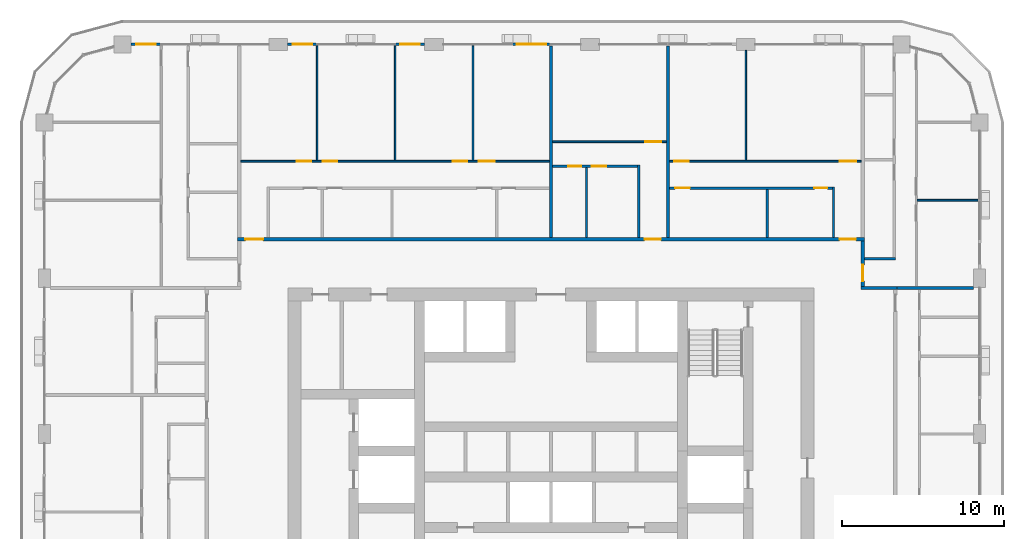
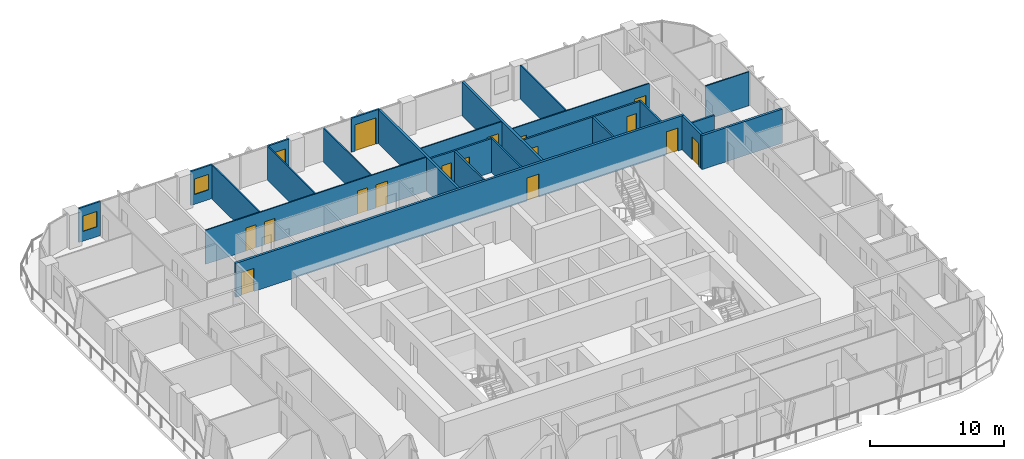
# One storey, part 14 of 22: 25 walls, 16 doors, 3 windows, 19 openings.
"""IFC4 building model written with IfcOpenShell, lengths in metres."""

from ifc_helpers import new_model, si_unit, direction, frame, frame_2d, origin, place, context, subcontext, project, spatial, rectangle, extrude, material, layer, layer_set, type_object, element, fill, save


model = new_model("IFC4")

# Units and contexts
model_context = context("Model", 3, precision=1e-05, world=origin(), true_north=direction((0.0, 1.0)))
body_context = subcontext(model_context, "Body", "Model", "MODEL_VIEW")
ifc_project = project(units=[si_unit("LENGTHUNIT", "METRE"), si_unit("AREAUNIT", "SQUARE_METRE"), si_unit("VOLUMEUNIT", "CUBIC_METRE"), si_unit("PLANEANGLEUNIT", "RADIAN"), si_unit("MASSUNIT", "GRAM", prefix="KILO")], contexts=[model_context])

# Site, building, storey
site_placement = place(None, origin())
site = spatial("IfcSite", under=ifc_project, at=site_placement, CompositionType="ELEMENT")
building_placement = place(site_placement, origin())
building = spatial("IfcBuilding", under=site, at=building_placement, Name="Madar Terraces", CompositionType="ELEMENT")
storey_placement = place(building_placement, frame((0.0, 0.0, 140.10009765625)))
storey = spatial("IfcBuildingStorey", under=building, at=storey_placement, Name="L36", CompositionType="ELEMENT", Elevation=140.10009765625)

# Wall, opening, door
ifc_material_1 = material(Name="Aluminium composite panel, black, over insulated backing", Category="aluminium")
ifc_layer_1 = layer(ifc_material_1, 0.14990234375)
ifc_layer_set_1 = layer_set([ifc_layer_1], Name="Facade bay panel 150")
wall_type_1 = type_object("IfcWallType", Name="Facade bay panel 150", PredefinedType="SOLIDWALL", material=ifc_layer_set_1)
wall_1_placement = place(storey_placement, frame((31.199951171875, 52.800048828125, 0.0), z_axis=(0.0, 0.0, 1.0), x_axis=(-1.0, 0.0, 0.0)))
wall_1 = element("IfcWall", 1, at=wall_1_placement, inside=storey, type_object=wall_type_1, Name="Facade bay panel", PredefinedType="SOLIDWALL", context=body_context, shape_type="SweptSolid", body=[
    extrude(rectangle(XDim=2.39990234375, YDim=0.14990234375, at=frame_2d((1.199951171875, 0.0))), origin(), (0.0, 0.0, 1.0), 3.099853515625),
])
opening_1_placement = place(wall_1_placement, frame((0.300048828125, 0.0, 0.0)))
opening_1 = element("IfcOpeningElement", 2, at=opening_1_placement, cuts=wall_1, Name="Opening ED1", PredefinedType="OPENING", context=body_context, shape_type="SweptSolid", body=[
    extrude(rectangle(XDim=1.800048828125, YDim=2.39990234375, at=frame_2d((0.89990234375, 1.199951171875))), frame((0.0, 0.0849609375, 0.0), z_axis=(0.0, -1.0, 0.0), x_axis=(1.0, 0.0, 0.0)), (0.0, 0.0, 1.0), 0.169921875),
])
ifc_material_2 = material(Name="Glass, clear, with black aluminium frame", Category="aluminium")
door_type_1 = type_object("IfcDoorType", Name="Balcony and terrace sliding door 1800 x 2400", OperationType="SLIDING_TO_LEFT", PredefinedType="DOOR", material=ifc_material_2)
door_1_placement = place(opening_1_placement, origin())
door_1 = element("IfcDoor", 3, at=door_1_placement, inside=storey, type_object=door_type_1, Name="Balcony door", OperationType="SLIDING_TO_LEFT", OverallHeight=2.39990234375, OverallWidth=1.800048828125, PredefinedType="DOOR", context=body_context, shape_type="SweptSolid", body=[
    extrude(rectangle(XDim=1.800048828125, YDim=2.39990234375, at=frame_2d((0.89990234375, 1.199951171875))), frame((0.0, 0.02490234375, 0.0), z_axis=(0.0, -1.0, 0.0), x_axis=(1.0, 0.0, 0.0)), (0.0, 0.0, 1.0), 0.050048828125),
])
fill(opening_1, door_1)

# Wall, opening, window
wall_2_placement = place(storey_placement, frame((23.425048828125, 52.800048828125, 0.0), z_axis=(0.0, 0.0, 1.0), x_axis=(-1.0, 0.0, 0.0)))
wall_2 = element("IfcWall", 4, at=wall_2_placement, inside=storey, type_object=wall_type_1, Name="Facade bay panel", PredefinedType="SOLIDWALL", context=body_context, shape_type="SweptSolid", body=[
    extrude(rectangle(XDim=1.824951171875, YDim=0.14990234375, at=frame_2d((0.91259765625, 0.0))), origin(), (0.0, 0.0, 1.0), 3.099853515625),
])
opening_2_placement = place(wall_2_placement, frame((0.3125, 0.0, 0.89990234375)))
opening_2 = element("IfcOpeningElement", 5, at=opening_2_placement, cuts=wall_2, Name="Opening W1", PredefinedType="OPENING", context=body_context, shape_type="SweptSolid", body=[
    extrude(rectangle(XDim=1.199951171875, YDim=1.39990234375, at=frame_2d((0.60009765625, 0.699951171875))), frame((0.0, 0.0849609375, 0.0), z_axis=(0.0, -1.0, 0.0), x_axis=(1.0, 0.0, 0.0)), (0.0, 0.0, 1.0), 0.169921875),
])
ifc_material_3 = material(Name="Glass, clear, with black aluminium frame", Category="aluminium")
window_type = type_object("IfcWindowType", Name="Vent window 1200 x 1400", PartitioningType="SINGLE_PANEL", PredefinedType="WINDOW", material=ifc_material_3)
window_1_placement = place(opening_2_placement, origin())
window_1 = element("IfcWindow", 6, at=window_1_placement, inside=storey, type_object=window_type, Name="Operable vent window", OverallHeight=1.39990234375, OverallWidth=1.199951171875, PartitioningType="SINGLE_PANEL", PredefinedType="WINDOW", context=body_context, shape_type="SweptSolid", body=[
    extrude(rectangle(XDim=1.199951171875, YDim=1.39990234375, at=frame_2d((0.60009765625, 0.699951171875))), frame((0.0, 0.030029296875, 0.0), z_axis=(0.0, -1.0, 0.0), x_axis=(1.0, 0.0, 0.0)), (0.0, 0.0, 1.0), 0.06005859375),
])
fill(opening_2, window_1)

wall_3_placement = place(storey_placement, frame((16.800048828125, 52.800048828125, 0.0), z_axis=(0.0, 0.0, 1.0), x_axis=(-1.0, 0.0, 0.0)))
wall_3 = element("IfcWall", 7, at=wall_3_placement, inside=storey, type_object=wall_type_1, Name="Facade bay panel", PredefinedType="SOLIDWALL", context=body_context, shape_type="SweptSolid", body=[
    extrude(rectangle(XDim=1.824951171875, YDim=0.14990234375, at=frame_2d((0.91259765625, 0.0))), origin(), (0.0, 0.0, 1.0), 3.099853515625),
])
opening_3_placement = place(wall_3_placement, frame((0.3125, 0.0, 0.89990234375)))
opening_3 = element("IfcOpeningElement", 8, at=opening_3_placement, cuts=wall_3, Name="Opening W1", PredefinedType="OPENING", context=body_context, shape_type="SweptSolid", body=[
    extrude(rectangle(XDim=1.199951171875, YDim=1.39990234375, at=frame_2d((0.60009765625, 0.699951171875))), frame((0.0, 0.0849609375, 0.0), z_axis=(0.0, -1.0, 0.0), x_axis=(1.0, 0.0, 0.0)), (0.0, 0.0, 1.0), 0.169921875),
])
window_2_placement = place(opening_3_placement, origin())
window_2 = element("IfcWindow", 9, at=window_2_placement, inside=storey, type_object=window_type, Name="Operable vent window", OverallHeight=1.39990234375, OverallWidth=1.199951171875, PartitioningType="SINGLE_PANEL", PredefinedType="WINDOW", context=body_context, shape_type="SweptSolid", body=[
    extrude(rectangle(XDim=1.199951171875, YDim=1.39990234375, at=frame_2d((0.60009765625, 0.699951171875))), frame((0.0, 0.030029296875, 0.0), z_axis=(0.0, -1.0, 0.0), x_axis=(1.0, 0.0, 0.0)), (0.0, 0.0, 1.0), 0.06005859375),
])
fill(opening_3, window_2)

wall_4_placement = place(storey_placement, frame((7.199951171875, 52.800048828125, 0.0), z_axis=(0.0, 0.0, 1.0), x_axis=(-1.0, 0.0, 0.0)))
wall_4 = element("IfcWall", 10, at=wall_4_placement, inside=storey, type_object=wall_type_1, Name="Facade bay panel", PredefinedType="SOLIDWALL", context=body_context, shape_type="SweptSolid", body=[
    extrude(rectangle(XDim=1.875, YDim=0.14990234375, at=frame_2d((0.9375, 0.0))), origin(), (0.0, 0.0, 1.0), 3.099853515625),
])
opening_4_placement = place(wall_4_placement, frame((0.33740234375, 0.0, 0.89990234375)))
opening_4 = element("IfcOpeningElement", 11, at=opening_4_placement, cuts=wall_4, Name="Opening W1", PredefinedType="OPENING", context=body_context, shape_type="SweptSolid", body=[
    extrude(rectangle(XDim=1.199951171875, YDim=1.39990234375, at=frame_2d((0.60009765625, 0.699951171875))), frame((0.0, 0.0849609375, 0.0), z_axis=(0.0, -1.0, 0.0), x_axis=(1.0, 0.0, 0.0)), (0.0, 0.0, 1.0), 0.169921875),
])
window_3_placement = place(opening_4_placement, origin())
window_3 = element("IfcWindow", 12, at=window_3_placement, inside=storey, type_object=window_type, Name="Operable vent window", OverallHeight=1.39990234375, OverallWidth=1.199951171875, PartitioningType="SINGLE_PANEL", PredefinedType="WINDOW", context=body_context, shape_type="SweptSolid", body=[
    extrude(rectangle(XDim=1.199951171875, YDim=1.39990234375, at=frame_2d((0.60009765625, 0.699951171875))), frame((0.0, 0.030029296875, 0.0), z_axis=(0.0, -1.0, 0.0), x_axis=(1.0, 0.0, 0.0)), (0.0, 0.0, 1.0), 0.06005859375),
])
fill(opening_4, window_3)

# Walls
ifc_material_4 = material(Name="Gypsum board on steel studs", Category="steel")
ifc_layer_2 = layer(ifc_material_4, 0.10009765625)
ifc_layer_set_2 = layer_set([ifc_layer_2], Name="Flat partition 100")
wall_type_2 = type_object("IfcWallType", Name="Flat partition 100", PredefinedType="PARTITIONING", material=ifc_layer_set_2)
wall_5_placement = place(storey_placement, frame((53.75, 43.199951171875, 0.0), z_axis=(0.0, 0.0, 1.0), x_axis=(1.0, 0.0, 0.0)))
element("IfcWall", 13, at=wall_5_placement, inside=storey, type_object=wall_type_2, Name="Flat partition 100", PredefinedType="PARTITIONING", context=body_context, shape_type="SweptSolid", body=[
    extrude(rectangle(XDim=3.75, YDim=0.10009765625, at=frame_2d((1.875, 0.0))), origin(), (0.0, 0.0, 1.0), 3.099853515625),
])
wall_6_placement = place(storey_placement, frame((43.199951171875, 45.64990234375, 0.0), z_axis=(0.0, 0.0, 1.0), x_axis=(0.0, 1.0, 0.0)))
element("IfcWall", 14, at=wall_6_placement, inside=storey, type_object=wall_type_2, Name="Flat partition 100", PredefinedType="PARTITIONING", context=body_context, shape_type="SweptSolid", body=[
    extrude(rectangle(XDim=6.775146484375, YDim=0.10009765625, at=frame_2d((3.3876953125, 0.0))), origin(), (0.0, 0.0, 1.0), 3.099853515625),
])

# Wall, openings, doors
wall_7_placement = place(storey_placement, frame((38.5, 45.60009765625, 0.0), z_axis=(0.0, 0.0, 1.0), x_axis=(1.0, 0.0, 0.0)))
wall_7 = element("IfcWall", 15, at=wall_7_placement, inside=storey, type_object=wall_type_2, Name="Flat partition 100", PredefinedType="PARTITIONING", context=body_context, shape_type="SweptSolid", body=[
    extrude(rectangle(XDim=11.800048828125, YDim=0.10009765625, at=frame_2d((5.89990234375, 0.0))), origin(), (0.0, 0.0, 1.0), 3.099853515625),
])
opening_5_placement = place(wall_7_placement, frame((10.5, 0.0, 0.0)))
opening_5 = element("IfcOpeningElement", 16, at=opening_5_placement, cuts=wall_7, Name="Opening D3", PredefinedType="OPENING", context=body_context, shape_type="SweptSolid", body=[
    extrude(rectangle(XDim=1.0, YDim=2.10009765625, at=frame_2d((0.5, 1.050048828125))), frame((0.0, 0.06005859375, 0.0), z_axis=(0.0, -1.0, 0.0), x_axis=(1.0, 0.0, 0.0)), (0.0, 0.0, 1.0), 0.1201171875),
])
opening_6_placement = place(wall_7_placement, frame((0.300048828125, 0.0, 0.0)))
opening_6 = element("IfcOpeningElement", 17, at=opening_6_placement, cuts=wall_7, Name="Opening D2", PredefinedType="OPENING", context=body_context, shape_type="SweptSolid", body=[
    extrude(rectangle(XDim=0.89990234375, YDim=2.10009765625, at=frame_2d((0.449951171875, 1.050048828125))), frame((0.0, 0.06005859375, 0.0), z_axis=(0.0, -1.0, 0.0), x_axis=(1.0, 0.0, 0.0)), (0.0, 0.0, 1.0), 0.1201171875),
])
ifc_material_5 = material(Name="Timber door leaf", Category="wood")
door_type_2 = type_object("IfcDoorType", Name="Flat living room door 1000", OperationType="NOTDEFINED", PredefinedType="DOOR", material=ifc_material_5)
door_2_placement = place(opening_5_placement, origin())
door_2 = element("IfcDoor", 18, at=door_2_placement, inside=storey, type_object=door_type_2, Name="Flat living room door 1000", OperationType="SINGLE_SWING_RIGHT", OverallHeight=2.10009765625, OverallWidth=1.0, PredefinedType="DOOR", context=body_context, shape_type="SweptSolid", body=[
    extrude(rectangle(XDim=1.0, YDim=2.10009765625, at=frame_2d((0.5, 1.050048828125))), frame((0.0, 0.02490234375, 0.0), z_axis=(0.0, -1.0, 0.0), x_axis=(1.0, 0.0, 0.0)), (0.0, 0.0, 1.0), 0.050048828125),
])
fill(opening_5, door_2)
ifc_material_6 = material(Name="Timber door leaf", Category="wood")
door_type_3 = type_object("IfcDoorType", Name="Flat room door 900", OperationType="NOTDEFINED", PredefinedType="DOOR", material=ifc_material_6)
door_3_placement = place(opening_6_placement, origin())
door_3 = element("IfcDoor", 19, at=door_3_placement, inside=storey, type_object=door_type_3, Name="Flat room door 900", OperationType="SINGLE_SWING_LEFT", OverallHeight=2.10009765625, OverallWidth=0.89990234375, PredefinedType="DOOR", context=body_context, shape_type="SweptSolid", body=[
    extrude(rectangle(XDim=0.89990234375, YDim=2.10009765625, at=frame_2d((0.449951171875, 1.050048828125))), frame((0.0, 0.02490234375, 0.0), z_axis=(0.0, -1.0, 0.0), x_axis=(1.0, 0.0, 0.0)), (0.0, 0.0, 1.0), 0.050048828125),
])
fill(opening_6, door_3)

# Wall, opening, door
wall_8_placement = place(storey_placement, frame((31.300048828125, 46.800048828125, 0.0), z_axis=(0.0, 0.0, 1.0), x_axis=(1.0, 0.0, 0.0)))
wall_8 = element("IfcWall", 20, at=wall_8_placement, inside=storey, type_object=wall_type_2, Name="Flat partition 100", PredefinedType="PARTITIONING", context=body_context, shape_type="SweptSolid", body=[
    extrude(rectangle(XDim=7.0, YDim=0.10009765625, at=frame_2d((3.5, 0.0))), origin(), (0.0, 0.0, 1.0), 3.099853515625),
])
opening_7_placement = place(wall_8_placement, frame((5.699951171875, 0.0, 0.0)))
opening_7 = element("IfcOpeningElement", 21, at=opening_7_placement, cuts=wall_8, Name="Opening D3", PredefinedType="OPENING", context=body_context, shape_type="SweptSolid", body=[
    extrude(rectangle(XDim=1.0, YDim=2.10009765625, at=frame_2d((0.5, 1.050048828125))), frame((0.0, 0.06005859375, 0.0), z_axis=(0.0, -1.0, 0.0), x_axis=(1.0, 0.0, 0.0)), (0.0, 0.0, 1.0), 0.1201171875),
])
door_4_placement = place(opening_7_placement, origin())
door_4 = element("IfcDoor", 22, at=door_4_placement, inside=storey, type_object=door_type_2, Name="Flat living room door 1000", OperationType="SINGLE_SWING_RIGHT", OverallHeight=2.10009765625, OverallWidth=1.0, PredefinedType="DOOR", context=body_context, shape_type="SweptSolid", body=[
    extrude(rectangle(XDim=1.0, YDim=2.10009765625, at=frame_2d((0.5, 1.050048828125))), frame((0.0, 0.02490234375, 0.0), z_axis=(0.0, -1.0, 0.0), x_axis=(1.0, 0.0, 0.0)), (0.0, 0.0, 1.0), 0.050048828125),
])
fill(opening_7, door_4)

# Walls
for number, where, z_axis, x_axis, name in (
    (23, (16.800048828125, 45.64990234375, 0.0), (0.0, 0.0, 1.0), (0.0, 1.0, 0.0), "Flat partition 100"),
    (24, (21.60009765625, 45.64990234375, 0.0), (0.0, 0.0, 1.0), (0.0, 1.0, 0.0), "Flat partition 100"),
    (25, (26.39990234375, 45.64990234375, 0.0), (0.0, 0.0, 1.0), (0.0, 1.0, 0.0), "Flat partition 100"),
):
    element("IfcWall", number, at=place(storey_placement, frame(where, z_axis=z_axis, x_axis=x_axis)), inside=storey, type_object=wall_type_2, Name=name, PredefinedType="PARTITIONING", context=body_context, shape_type="SweptSolid", body=[
        extrude(rectangle(XDim=7.050048828125, YDim=0.10009765625, at=frame_2d((3.52490234375, 0.0))), origin(), (0.0, 0.0, 1.0), 3.099853515625),
    ])

# Wall, openings, doors
wall_9_placement = place(storey_placement, frame((12.10009765625, 45.60009765625, 0.0), z_axis=(0.0, 0.0, 1.0), x_axis=(1.0, 0.0, 0.0)))
wall_9 = element("IfcWall", 26, at=wall_9_placement, inside=storey, type_object=wall_type_2, Name="Flat partition 100", PredefinedType="PARTITIONING", context=body_context, shape_type="SweptSolid", body=[
    extrude(rectangle(XDim=19.0, YDim=0.10009765625, at=frame_2d((9.5, 0.0))), origin(), (0.0, 0.0, 1.0), 3.099853515625),
])
opening_8_placement = place(wall_9_placement, frame((3.449951171875, 0.0, 0.0)))
opening_8 = element("IfcOpeningElement", 27, at=opening_8_placement, cuts=wall_9, Name="Opening D2", PredefinedType="OPENING", context=body_context, shape_type="SweptSolid", body=[
    extrude(rectangle(XDim=0.89990234375, YDim=2.10009765625, at=frame_2d((0.449951171875, 1.050048828125))), frame((0.0, 0.06005859375, 0.0), z_axis=(0.0, -1.0, 0.0), x_axis=(1.0, 0.0, 0.0)), (0.0, 0.0, 1.0), 0.1201171875),
])
opening_9_placement = place(wall_9_placement, frame((5.050048828125, 0.0, 0.0)))
opening_9 = element("IfcOpeningElement", 28, at=opening_9_placement, cuts=wall_9, Name="Opening D2", PredefinedType="OPENING", context=body_context, shape_type="SweptSolid", body=[
    extrude(rectangle(XDim=0.89990234375, YDim=2.10009765625, at=frame_2d((0.449951171875, 1.050048828125))), frame((0.0, 0.06005859375, 0.0), z_axis=(0.0, -1.0, 0.0), x_axis=(1.0, 0.0, 0.0)), (0.0, 0.0, 1.0), 0.1201171875),
])
opening_10_placement = place(wall_9_placement, frame((13.050048828125, 0.0, 0.0)))
opening_10 = element("IfcOpeningElement", 29, at=opening_10_placement, cuts=wall_9, Name="Opening D2", PredefinedType="OPENING", context=body_context, shape_type="SweptSolid", body=[
    extrude(rectangle(XDim=0.89990234375, YDim=2.10009765625, at=frame_2d((0.449951171875, 1.050048828125))), frame((0.0, 0.06005859375, 0.0), z_axis=(0.0, -1.0, 0.0), x_axis=(1.0, 0.0, 0.0)), (0.0, 0.0, 1.0), 0.1201171875),
])
opening_11_placement = place(wall_9_placement, frame((14.64990234375, 0.0, 0.0)))
opening_11 = element("IfcOpeningElement", 30, at=opening_11_placement, cuts=wall_9, Name="Opening D3", PredefinedType="OPENING", context=body_context, shape_type="SweptSolid", body=[
    extrude(rectangle(XDim=1.0, YDim=2.10009765625, at=frame_2d((0.5, 1.050048828125))), frame((0.0, 0.06005859375, 0.0), z_axis=(0.0, -1.0, 0.0), x_axis=(1.0, 0.0, 0.0)), (0.0, 0.0, 1.0), 0.1201171875),
])
door_5_placement = place(opening_11_placement, origin())
door_5 = element("IfcDoor", 31, at=door_5_placement, inside=storey, type_object=door_type_2, Name="Flat living room door 1000", OperationType="SINGLE_SWING_LEFT", OverallHeight=2.10009765625, OverallWidth=1.0, PredefinedType="DOOR", context=body_context, shape_type="SweptSolid", body=[
    extrude(rectangle(XDim=1.0, YDim=2.10009765625, at=frame_2d((0.5, 1.050048828125))), frame((0.0, 0.02490234375, 0.0), z_axis=(0.0, -1.0, 0.0), x_axis=(1.0, 0.0, 0.0)), (0.0, 0.0, 1.0), 0.050048828125),
])
fill(opening_11, door_5)
door_6_placement = place(opening_8_placement, origin())
door_6 = element("IfcDoor", 32, at=door_6_placement, inside=storey, type_object=door_type_3, Name="Flat room door 900", OperationType="SINGLE_SWING_RIGHT", OverallHeight=2.10009765625, OverallWidth=0.89990234375, PredefinedType="DOOR", context=body_context, shape_type="SweptSolid", body=[
    extrude(rectangle(XDim=0.89990234375, YDim=2.10009765625, at=frame_2d((0.449951171875, 1.050048828125))), frame((0.0, 0.02490234375, 0.0), z_axis=(0.0, -1.0, 0.0), x_axis=(1.0, 0.0, 0.0)), (0.0, 0.0, 1.0), 0.050048828125),
])
fill(opening_8, door_6)
door_7_placement = place(opening_9_placement, origin())
door_7 = element("IfcDoor", 33, at=door_7_placement, inside=storey, type_object=door_type_3, Name="Flat room door 900", OperationType="SINGLE_SWING_LEFT", OverallHeight=2.10009765625, OverallWidth=0.89990234375, PredefinedType="DOOR", context=body_context, shape_type="SweptSolid", body=[
    extrude(rectangle(XDim=0.89990234375, YDim=2.10009765625, at=frame_2d((0.449951171875, 1.050048828125))), frame((0.0, 0.02490234375, 0.0), z_axis=(0.0, -1.0, 0.0), x_axis=(1.0, 0.0, 0.0)), (0.0, 0.0, 1.0), 0.050048828125),
])
fill(opening_9, door_7)
door_8_placement = place(opening_10_placement, origin())
door_8 = element("IfcDoor", 34, at=door_8_placement, inside=storey, type_object=door_type_3, Name="Flat room door 900", OperationType="SINGLE_SWING_RIGHT", OverallHeight=2.10009765625, OverallWidth=0.89990234375, PredefinedType="DOOR", context=body_context, shape_type="SweptSolid", body=[
    extrude(rectangle(XDim=0.89990234375, YDim=2.10009765625, at=frame_2d((0.449951171875, 1.050048828125))), frame((0.0, 0.02490234375, 0.0), z_axis=(0.0, -1.0, 0.0), x_axis=(1.0, 0.0, 0.0)), (0.0, 0.0, 1.0), 0.050048828125),
])
fill(opening_10, door_8)

# Wall
ifc_material_7 = material(Name="Lightweight blockwork", Category="masonry")
ifc_layer_3 = layer(ifc_material_7, 0.199951171875)
ifc_layer_set_3 = layer_set([ifc_layer_3], Name="Flat party and entrance wall 200")
wall_type_3 = type_object("IfcWallType", Name="Flat party and entrance wall 200", PredefinedType="PARTITIONING", material=ifc_layer_set_3)
wall_10_placement = place(storey_placement, frame((52.5, 37.800048828125, 0.0), z_axis=(0.0, 0.0, 1.0), x_axis=(-1.0, 0.0, 0.0)))
element("IfcWall", 35, at=wall_10_placement, inside=storey, type_object=wall_type_3, Name="Flat party and entrance wall 200", PredefinedType="PARTITIONING", context=body_context, shape_type="SweptSolid", body=[
    extrude(rectangle(XDim=2.199951171875, YDim=0.199951171875, at=frame_2d((1.10009765625, 0.0))), origin(), (0.0, 0.0, 1.0), 3.099853515625),
])

# Wall, opening, door
wall_11_placement = place(storey_placement, frame((50.39990234375, 40.699951171875, 0.0), z_axis=(0.0, 0.0, 1.0), x_axis=(0.0, -1.0, 0.0)))
wall_11 = element("IfcWall", 36, at=wall_11_placement, inside=storey, type_object=wall_type_3, Name="Flat party and entrance wall 200", PredefinedType="PARTITIONING", context=body_context, shape_type="SweptSolid", body=[
    extrude(rectangle(XDim=2.800048828125, YDim=0.199951171875, at=frame_2d((1.39990234375, 0.0))), origin(), (0.0, 0.0, 1.0), 3.099853515625),
])
opening_12_placement = place(wall_11_placement, frame((1.47509765625, 0.0, 0.0)))
opening_12 = element("IfcOpeningElement", 37, at=opening_12_placement, cuts=wall_11, Name="Opening D1", PredefinedType="OPENING", context=body_context, shape_type="SweptSolid", body=[
    extrude(rectangle(XDim=1.0, YDim=2.10009765625, at=frame_2d((0.5, 1.050048828125))), frame((0.0, 0.10986328125, 0.0), z_axis=(0.0, -1.0, 0.0), x_axis=(1.0, 0.0, 0.0)), (0.0, 0.0, 1.0), 0.219970703125),
])
ifc_material_8 = material(Name="Timber fire door leaf", Category="wood")
door_type_4 = type_object("IfcDoorType", Name="Flat entrance door 1000 FD30S", OperationType="NOTDEFINED", PredefinedType="DOOR", material=ifc_material_8)
door_9_placement = place(opening_12_placement, origin())
door_9 = element("IfcDoor", 38, at=door_9_placement, inside=storey, type_object=door_type_4, Name="Flat entrance door 1000 FD30S", OperationType="SINGLE_SWING_RIGHT", OverallHeight=2.10009765625, OverallWidth=1.0, PredefinedType="DOOR", context=body_context, shape_type="SweptSolid", body=[
    extrude(rectangle(XDim=1.0, YDim=2.10009765625, at=frame_2d((0.5, 1.050048828125))), frame((0.0, 0.02490234375, 0.0), z_axis=(0.0, -1.0, 0.0), x_axis=(1.0, 0.0, 0.0)), (0.0, 0.0, 1.0), 0.050048828125),
])
fill(opening_12, door_9)

# Wall, openings, doors
wall_12_placement = place(storey_placement, frame((11.89990234375, 40.800048828125, 0.0), z_axis=(0.0, 0.0, 1.0), x_axis=(1.0, 0.0, 0.0)))
wall_12 = element("IfcWall", 39, at=wall_12_placement, inside=storey, type_object=wall_type_3, Name="Flat party and entrance wall 200", PredefinedType="PARTITIONING", context=body_context, shape_type="SweptSolid", body=[
    extrude(rectangle(XDim=38.60009765625, YDim=0.199951171875, at=frame_2d((19.300048828125, 0.0))), origin(), (0.0, 0.0, 1.0), 3.099853515625),
])
opening_13_placement = place(wall_12_placement, frame((37.074951171875, 0.0, 0.0)))
opening_13 = element("IfcOpeningElement", 40, at=opening_13_placement, cuts=wall_12, Name="Opening D1", PredefinedType="OPENING", context=body_context, shape_type="SweptSolid", body=[
    extrude(rectangle(XDim=1.0, YDim=2.10009765625, at=frame_2d((0.5, 1.050048828125))), frame((0.0, 0.10986328125, 0.0), z_axis=(0.0, -1.0, 0.0), x_axis=(1.0, 0.0, 0.0)), (0.0, 0.0, 1.0), 0.219970703125),
])
opening_14_placement = place(wall_12_placement, frame((25.074951171875, 0.0, 0.0)))
opening_14 = element("IfcOpeningElement", 41, at=opening_14_placement, cuts=wall_12, Name="Opening D1", PredefinedType="OPENING", context=body_context, shape_type="SweptSolid", body=[
    extrude(rectangle(XDim=1.0, YDim=2.10009765625, at=frame_2d((0.5, 1.050048828125))), frame((0.0, 0.10986328125, 0.0), z_axis=(0.0, -1.0, 0.0), x_axis=(1.0, 0.0, 0.0)), (0.0, 0.0, 1.0), 0.219970703125),
])
opening_15_placement = place(wall_12_placement, frame((0.47509765625, 0.0, 0.0)))
opening_15 = element("IfcOpeningElement", 42, at=opening_15_placement, cuts=wall_12, Name="Opening D6", PredefinedType="OPENING", context=body_context, shape_type="SweptSolid", body=[
    extrude(rectangle(XDim=1.10009765625, YDim=2.10009765625, at=frame_2d((0.550048828125, 1.050048828125))), frame((0.0, 0.10986328125, 0.0), z_axis=(0.0, -1.0, 0.0), x_axis=(1.0, 0.0, 0.0)), (0.0, 0.0, 1.0), 0.219970703125),
])
door_10_placement = place(opening_13_placement, origin())
door_10 = element("IfcDoor", 43, at=door_10_placement, inside=storey, type_object=door_type_4, Name="Flat entrance door 1000 FD30S", OperationType="SINGLE_SWING_RIGHT", OverallHeight=2.10009765625, OverallWidth=1.0, PredefinedType="DOOR", context=body_context, shape_type="SweptSolid", body=[
    extrude(rectangle(XDim=1.0, YDim=2.10009765625, at=frame_2d((0.5, 1.050048828125))), frame((0.0, 0.02490234375, 0.0), z_axis=(0.0, -1.0, 0.0), x_axis=(1.0, 0.0, 0.0)), (0.0, 0.0, 1.0), 0.050048828125),
])
fill(opening_13, door_10)
door_11_placement = place(opening_14_placement, origin())
door_11 = element("IfcDoor", 44, at=door_11_placement, inside=storey, type_object=door_type_4, Name="Flat entrance door 1000 FD30S", OperationType="SINGLE_SWING_RIGHT", OverallHeight=2.10009765625, OverallWidth=1.0, PredefinedType="DOOR", context=body_context, shape_type="SweptSolid", body=[
    extrude(rectangle(XDim=1.0, YDim=2.10009765625, at=frame_2d((0.5, 1.050048828125))), frame((0.0, 0.02490234375, 0.0), z_axis=(0.0, -1.0, 0.0), x_axis=(1.0, 0.0, 0.0)), (0.0, 0.0, 1.0), 0.050048828125),
])
fill(opening_14, door_11)
ifc_material_9 = material(Name="Timber fire door leaf", Category="wood")
door_type_5 = type_object("IfcDoorType", Name="Flat entrance door 1100 FD30S", OperationType="NOTDEFINED", PredefinedType="DOOR", material=ifc_material_9)
door_12_placement = place(opening_15_placement, origin())
door_12 = element("IfcDoor", 45, at=door_12_placement, inside=storey, type_object=door_type_5, Name="Flat entrance door 1100 FD30S", OperationType="SINGLE_SWING_LEFT", OverallHeight=2.10009765625, OverallWidth=1.10009765625, PredefinedType="DOOR", context=body_context, shape_type="SweptSolid", body=[
    extrude(rectangle(XDim=1.10009765625, YDim=2.10009765625, at=frame_2d((0.550048828125, 1.050048828125))), frame((0.0, 0.02490234375, 0.0), z_axis=(0.0, -1.0, 0.0), x_axis=(1.0, 0.0, 0.0)), (0.0, 0.0, 1.0), 0.050048828125),
])
fill(opening_15, door_12)

# Walls
wall_13_placement = place(storey_placement, frame((52.5, 37.800048828125, 0.0), z_axis=(0.0, 0.0, 1.0), x_axis=(1.0, 0.0, 0.0)))
element("IfcWall", 46, at=wall_13_placement, inside=storey, type_object=wall_type_3, Name="Flat party and entrance wall 200", PredefinedType="PARTITIONING", context=body_context, shape_type="SweptSolid", body=[
    extrude(rectangle(XDim=4.72509765625, YDim=0.199951171875, at=frame_2d((2.362548828125, 0.0))), origin(), (0.0, 0.0, 1.0), 3.099853515625),
])
for number, where, z_axis, x_axis, name in (
    (47, (38.39990234375, 52.699951171875, 0.0), (0.0, 0.0, 1.0), (0.0, -1.0, 0.0), "Flat party and entrance wall 200"),
    (48, (31.199951171875, 52.699951171875, 0.0), (0.0, 0.0, 1.0), (0.0, -1.0, 0.0), "Flat party and entrance wall 200"),
):
    element("IfcWall", number, at=place(storey_placement, frame(where, z_axis=z_axis, x_axis=x_axis)), inside=storey, type_object=wall_type_3, Name=name, PredefinedType="PARTITIONING", context=body_context, shape_type="SweptSolid", body=[
        extrude(rectangle(XDim=11.800048828125, YDim=0.199951171875, at=frame_2d((5.89990234375, 0.0))), origin(), (0.0, 0.0, 1.0), 3.099853515625),
    ])
ifc_material_10 = material(Name="Lightweight blockwork", Category="masonry")
ifc_layer_4 = layer(ifc_material_10, 0.14990234375)
ifc_layer_set_4 = layer_set([ifc_layer_4], Name="Flat wet-room partition 150")
wall_type_4 = type_object("IfcWallType", Name="Flat wet-room partition 150", PredefinedType="PARTITIONING", material=ifc_layer_set_4)
wall_14_placement = place(storey_placement, frame((50.5, 39.60009765625, 0.0), z_axis=(0.0, 0.0, 1.0), x_axis=(1.0, 0.0, 0.0)))
element("IfcWall", 49, at=wall_14_placement, inside=storey, type_object=wall_type_4, Name="Flat wet-room partition 150", PredefinedType="PARTITIONING", context=body_context, shape_type="SweptSolid", body=[
    extrude(rectangle(XDim=1.925048828125, YDim=0.14990234375, at=frame_2d((0.96240234375, 0.0))), origin(), (0.0, 0.0, 1.0), 3.099853515625),
])
wall_15_placement = place(storey_placement, frame((44.514892578125, 40.89990234375, 0.0), z_axis=(0.0, 0.0, 1.0), x_axis=(0.0, 1.0, 0.0)))
element("IfcWall", 50, at=wall_15_placement, inside=storey, type_object=wall_type_4, Name="Flat wet-room partition 150", PredefinedType="PARTITIONING", context=body_context, shape_type="SweptSolid", body=[
    extrude(rectangle(XDim=2.97509765625, YDim=0.14990234375, at=frame_2d((1.487548828125, 0.0))), origin(), (0.0, 0.0, 1.0), 3.099853515625),
])
wall_16_placement = place(storey_placement, frame((48.60009765625, 40.89990234375, 0.0), z_axis=(0.0, 0.0, 1.0), x_axis=(0.0, 1.0, 0.0)))
element("IfcWall", 51, at=wall_16_placement, inside=storey, type_object=wall_type_4, Name="Flat wet-room partition 150", PredefinedType="PARTITIONING", context=body_context, shape_type="SweptSolid", body=[
    extrude(rectangle(XDim=3.125, YDim=0.14990234375, at=frame_2d((1.5625, 0.0))), origin(), (0.0, 0.0, 1.0), 3.099853515625),
])

# Wall, openings, doors
wall_17_placement = place(storey_placement, frame((48.52490234375, 43.949951171875, 0.0), z_axis=(0.0, 0.0, 1.0), x_axis=(-1.0, 0.0, 0.0)))
wall_17 = element("IfcWall", 52, at=wall_17_placement, inside=storey, type_object=wall_type_4, Name="Flat wet-room partition 150", PredefinedType="PARTITIONING", context=body_context, shape_type="SweptSolid", body=[
    extrude(rectangle(XDim=10.02490234375, YDim=0.14990234375, at=frame_2d((5.012451171875, 0.0))), origin(), (0.0, 0.0, 1.0), 3.099853515625),
])
opening_16_placement = place(wall_17_placement, frame((0.300048828125, 0.0, 0.0)))
opening_16 = element("IfcOpeningElement", 53, at=opening_16_placement, cuts=wall_17, Name="Opening D4", PredefinedType="OPENING", context=body_context, shape_type="SweptSolid", body=[
    extrude(rectangle(XDim=0.800048828125, YDim=2.10009765625, at=frame_2d((0.39990234375, 1.050048828125))), frame((0.0, 0.0849609375, 0.0), z_axis=(0.0, -1.0, 0.0), x_axis=(1.0, 0.0, 0.0)), (0.0, 0.0, 1.0), 0.169921875),
])
opening_17_placement = place(wall_17_placement, frame((8.77490234375, 0.0, 0.0)))
opening_17 = element("IfcOpeningElement", 54, at=opening_17_placement, cuts=wall_17, Name="Opening D2", PredefinedType="OPENING", context=body_context, shape_type="SweptSolid", body=[
    extrude(rectangle(XDim=0.89990234375, YDim=2.10009765625, at=frame_2d((0.449951171875, 1.050048828125))), frame((0.0, 0.0849609375, 0.0), z_axis=(0.0, -1.0, 0.0), x_axis=(1.0, 0.0, 0.0)), (0.0, 0.0, 1.0), 0.169921875),
])
ifc_material_11 = material(Name="Timber door leaf", Category="wood")
door_type_6 = type_object("IfcDoorType", Name="Flat bathroom door 800", OperationType="NOTDEFINED", PredefinedType="DOOR", material=ifc_material_11)
door_13_placement = place(opening_16_placement, origin())
door_13 = element("IfcDoor", 55, at=door_13_placement, inside=storey, type_object=door_type_6, Name="Flat bathroom door 800", OperationType="SINGLE_SWING_LEFT", OverallHeight=2.10009765625, OverallWidth=0.800048828125, PredefinedType="DOOR", context=body_context, shape_type="SweptSolid", body=[
    extrude(rectangle(XDim=0.800048828125, YDim=2.10009765625, at=frame_2d((0.39990234375, 1.050048828125))), frame((0.0, 0.02490234375, 0.0), z_axis=(0.0, -1.0, 0.0), x_axis=(1.0, 0.0, 0.0)), (0.0, 0.0, 1.0), 0.050048828125),
])
fill(opening_16, door_13)
door_14_placement = place(opening_17_placement, origin())
door_14 = element("IfcDoor", 56, at=door_14_placement, inside=storey, type_object=door_type_3, Name="Flat room door 900", OperationType="SINGLE_SWING_RIGHT", OverallHeight=2.10009765625, OverallWidth=0.89990234375, PredefinedType="DOOR", context=body_context, shape_type="SweptSolid", body=[
    extrude(rectangle(XDim=0.89990234375, YDim=2.10009765625, at=frame_2d((0.449951171875, 1.050048828125))), frame((0.0, 0.02490234375, 0.0), z_axis=(0.0, -1.0, 0.0), x_axis=(1.0, 0.0, 0.0)), (0.0, 0.0, 1.0), 0.050048828125),
])
fill(opening_17, door_14)

# Walls
wall_18_placement = place(storey_placement, frame((33.389892578125, 40.89990234375, 0.0), z_axis=(0.0, 0.0, 1.0), x_axis=(0.0, 1.0, 0.0)))
element("IfcWall", 57, at=wall_18_placement, inside=storey, type_object=wall_type_4, Name="Flat wet-room partition 150", PredefinedType="PARTITIONING", context=body_context, shape_type="SweptSolid", body=[
    extrude(rectangle(XDim=4.3251953125, YDim=0.14990234375, at=frame_2d((2.16259765625, 0.0))), origin(), (0.0, 0.0, 1.0), 3.099853515625),
])
wall_19_placement = place(storey_placement, frame((36.60009765625, 40.89990234375, 0.0), z_axis=(0.0, 0.0, 1.0), x_axis=(0.0, 1.0, 0.0)))
element("IfcWall", 58, at=wall_19_placement, inside=storey, type_object=wall_type_4, Name="Flat wet-room partition 150", PredefinedType="PARTITIONING", context=body_context, shape_type="SweptSolid", body=[
    extrude(rectangle(XDim=4.47509765625, YDim=0.14990234375, at=frame_2d((2.237548828125, 0.0))), origin(), (0.0, 0.0, 1.0), 3.099853515625),
])

# Wall, openings, doors
wall_20_placement = place(storey_placement, frame((36.52490234375, 45.300048828125, 0.0), z_axis=(0.0, 0.0, 1.0), x_axis=(-1.0, 0.0, 0.0)))
wall_20 = element("IfcWall", 59, at=wall_20_placement, inside=storey, type_object=wall_type_4, Name="Flat wet-room partition 150", PredefinedType="PARTITIONING", context=body_context, shape_type="SweptSolid", body=[
    extrude(rectangle(XDim=5.224853515625, YDim=0.14990234375, at=frame_2d((2.6123046875, 0.0))), origin(), (0.0, 0.0, 1.0), 3.099853515625),
])
opening_18_placement = place(wall_20_placement, frame((1.909912109375, 0.0, 0.0)))
opening_18 = element("IfcOpeningElement", 60, at=opening_18_placement, cuts=wall_20, Name="Opening D2", PredefinedType="OPENING", context=body_context, shape_type="SweptSolid", body=[
    extrude(rectangle(XDim=0.89990234375, YDim=2.10009765625, at=frame_2d((0.449951171875, 1.050048828125))), frame((0.0, 0.0849609375, 0.0), z_axis=(0.0, -1.0, 0.0), x_axis=(1.0, 0.0, 0.0)), (0.0, 0.0, 1.0), 0.169921875),
])
opening_19_placement = place(wall_20_placement, frame((3.4599609375, 0.0, 0.0)))
opening_19 = element("IfcOpeningElement", 61, at=opening_19_placement, cuts=wall_20, Name="Opening D4", PredefinedType="OPENING", context=body_context, shape_type="SweptSolid", body=[
    extrude(rectangle(XDim=0.800048828125, YDim=2.10009765625, at=frame_2d((0.39990234375, 1.050048828125))), frame((0.0, 0.0849609375, 0.0), z_axis=(0.0, -1.0, 0.0), x_axis=(1.0, 0.0, 0.0)), (0.0, 0.0, 1.0), 0.169921875),
])
door_15_placement = place(opening_19_placement, origin())
door_15 = element("IfcDoor", 62, at=door_15_placement, inside=storey, type_object=door_type_6, Name="Flat bathroom door 800", OperationType="SINGLE_SWING_LEFT", OverallHeight=2.10009765625, OverallWidth=0.800048828125, PredefinedType="DOOR", context=body_context, shape_type="SweptSolid", body=[
    extrude(rectangle(XDim=0.800048828125, YDim=2.10009765625, at=frame_2d((0.39990234375, 1.050048828125))), frame((0.0, 0.02490234375, 0.0), z_axis=(0.0, -1.0, 0.0), x_axis=(1.0, 0.0, 0.0)), (0.0, 0.0, 1.0), 0.050048828125),
])
fill(opening_19, door_15)
door_16_placement = place(opening_18_placement, origin())
door_16 = element("IfcDoor", 63, at=door_16_placement, inside=storey, type_object=door_type_3, Name="Flat room door 900", OperationType="SINGLE_SWING_RIGHT", OverallHeight=2.10009765625, OverallWidth=0.89990234375, PredefinedType="DOOR", context=body_context, shape_type="SweptSolid", body=[
    extrude(rectangle(XDim=0.89990234375, YDim=2.10009765625, at=frame_2d((0.449951171875, 1.050048828125))), frame((0.0, 0.02490234375, 0.0), z_axis=(0.0, -1.0, 0.0), x_axis=(1.0, 0.0, 0.0)), (0.0, 0.0, 1.0), 0.050048828125),
])
fill(opening_18, door_16)

save(model, "model.ifc")
